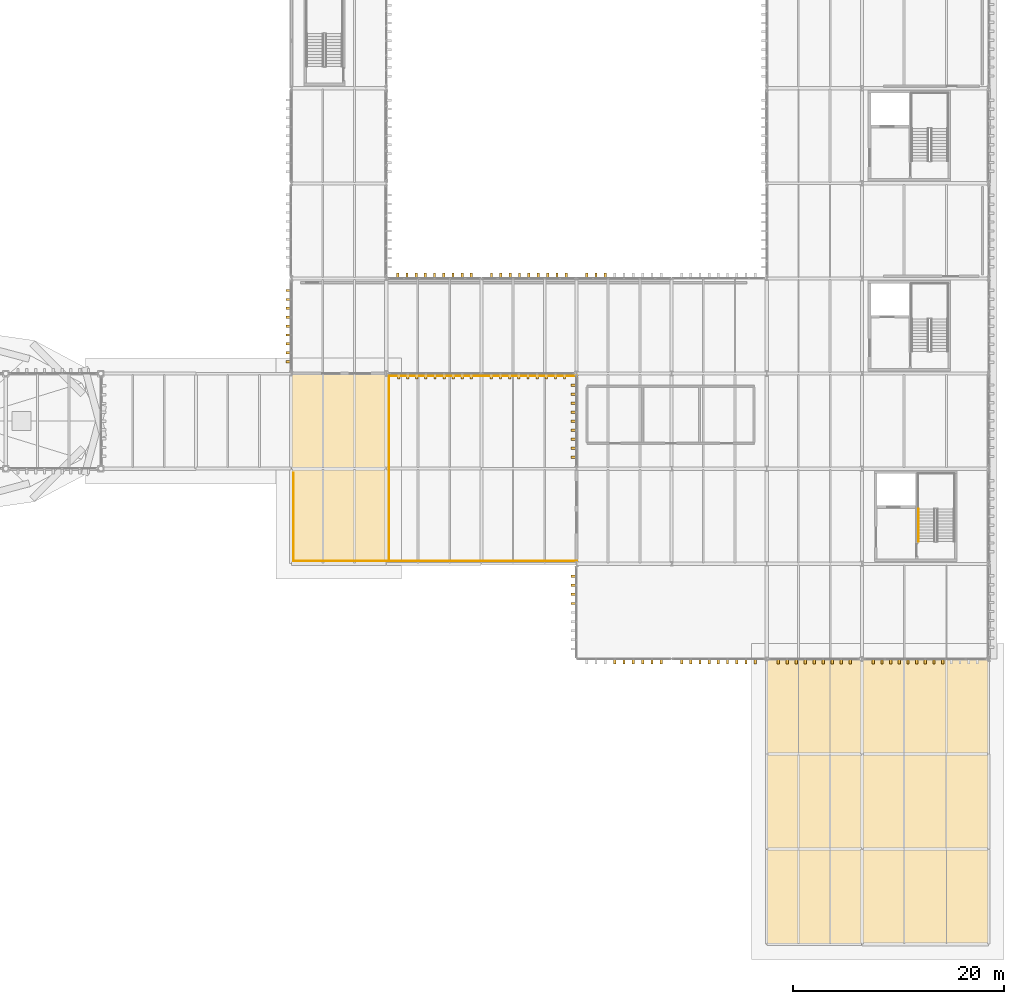
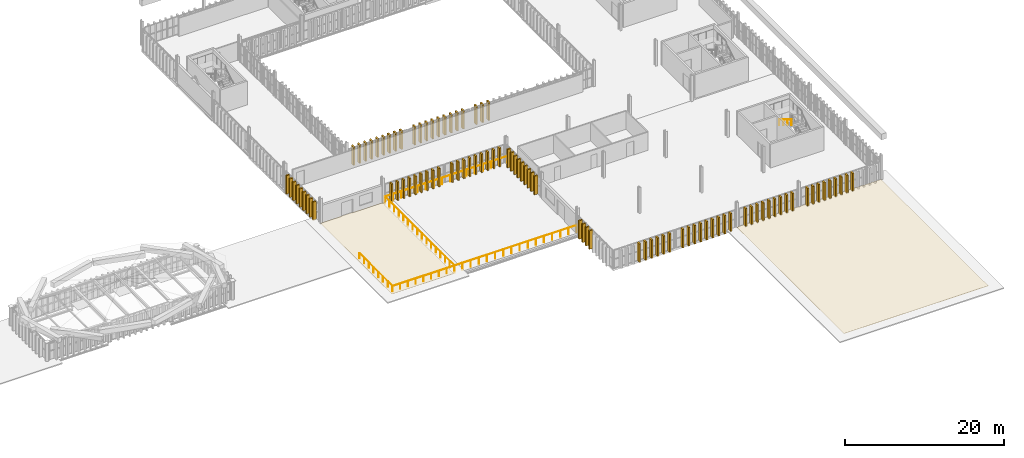
# One storey, part 95 of 102: 94 shading devices, 6 railings, 2 coverings.
"""IFC4 building model written with IfcOpenShell, lengths in metres."""

from ifc_helpers import new_model, si_unit, direction, frame, origin, origin_2d, place, context, subcontext, project, spatial, polyline, rectangle, circle, outline, extrude, material, layer, layer_set, type_object, element, save


model = new_model("IFC4")

# Units and contexts
model_context = context("Model", 3, precision=1e-05, world=origin(), true_north=direction((0.0, 1.0)))
body_context = subcontext(model_context, "Body", "Model", "MODEL_VIEW")
ifc_project = project(units=[si_unit("LENGTHUNIT", "METRE"), si_unit("AREAUNIT", "SQUARE_METRE"), si_unit("VOLUMEUNIT", "CUBIC_METRE"), si_unit("PLANEANGLEUNIT", "RADIAN"), si_unit("MASSUNIT", "GRAM", prefix="KILO")], contexts=[model_context])

# Site, building, storey
site_placement = place(None, origin())
site = spatial("IfcSite", under=ifc_project, at=site_placement, CompositionType="ELEMENT")
building_placement = place(site_placement, origin())
building = spatial("IfcBuilding", under=site, at=building_placement, Name="Barlavento Convention Centre", CompositionType="ELEMENT")
storey_placement = place(building_placement, frame((0.0, 0.0, 22.800048828125)))
storey = spatial("IfcBuildingStorey", under=building, at=storey_placement, Name="L04", CompositionType="ELEMENT", Elevation=22.800048828125)

# Coverings
ifc_material_1 = material(Name="Insulated typhoon waterproof roofing membrane")
ifc_layer = layer(ifc_material_1, 0.0400390625)
ifc_layer_set = layer_set([ifc_layer], Name="ARC-COV-ROOFING-40")
covering_type = type_object("IfcCoveringType", Name="ARC-COV-ROOFING-40", PredefinedType="ROOFING", material=ifc_layer_set)
covering_1_placement = place(storey_placement, frame((0.0, 0.0, 0.050048828125)))
element("IfcCovering", 1, at=covering_1_placement, inside=storey, type_object=covering_type, Name="L04 insulated waterproof roof covering", PredefinedType="ROOFING", context=body_context, shape_type="SweptSolid", body=[
    extrude(outline(polyline([(171.0, 0.0), (192.0, 0.0), (192.0, 27.0), (171.0, 27.0), (171.0, 0.0)])), origin(), (0.0, 0.0, 1.0), 0.039794921875),
])
covering_2_placement = place(storey_placement, frame((0.0, 0.0, 0.050048828125)))
element("IfcCovering", 2, at=covering_2_placement, inside=storey, type_object=covering_type, Name="L04 insulated waterproof roof covering", PredefinedType="ROOFING", context=body_context, shape_type="SweptSolid", body=[
    extrude(outline(polyline([(126.0, 36.0), (135.0, 36.0), (135.0, 54.0), (126.0, 54.0), (126.0, 36.0)])), origin(), (0.0, 0.0, 1.0), 0.039794921875),
])

# Railings
ifc_material_2 = material(Name="Stainless steel and laminated glass balustrade", Category="steel")
railing_type_1 = type_object("IfcRailingType", Name="ARC-RAL-BAL-1100", PredefinedType="BALUSTRADE", material=ifc_material_2)
railing_1_placement = place(storey_placement, frame((135.25, 36.25, 0.0)))
element("IfcRailing", 3, at=railing_1_placement, inside=storey, type_object=railing_type_1, Name="L04 terrace balustrade GR01", PredefinedType="BALUSTRADE", context=body_context, shape_type="SweptSolid", body=[
    extrude(circle(Radius=0.02392578125, at=origin_2d()), frame((0.0, 0.0, 1.076171875), z_axis=(1.0, 0.0, 0.0), x_axis=(0.0, 1.0, 0.0)), (0.0, 0.0, 1.0), 17.800048828125),
    extrude(circle(Radius=0.02099609375, at=origin_2d()), origin(), (0.0, 0.0, 1.0), 1.052001953125),
    extrude(circle(Radius=0.02099609375, at=origin_2d()), frame((1.186767578125, 0.0, 0.0)), (0.0, 0.0, 1.0), 1.052001953125),
    extrude(circle(Radius=0.02099609375, at=origin_2d()), frame((2.373291015625, 0.0, 0.0)), (0.0, 0.0, 1.0), 1.052001953125),
    extrude(circle(Radius=0.02099609375, at=origin_2d()), frame((3.56005859375, 0.0, 0.0)), (0.0, 0.0, 1.0), 1.052001953125),
    extrude(circle(Radius=0.02099609375, at=origin_2d()), frame((4.74658203125, 0.0, 0.0)), (0.0, 0.0, 1.0), 1.052001953125),
    extrude(circle(Radius=0.02099609375, at=origin_2d()), frame((5.933349609375, 0.0, 0.0)), (0.0, 0.0, 1.0), 1.052001953125),
    extrude(circle(Radius=0.02099609375, at=origin_2d()), frame((7.1201171875, 0.0, 0.0)), (0.0, 0.0, 1.0), 1.052001953125),
    extrude(circle(Radius=0.02099609375, at=origin_2d()), frame((8.306640625, 0.0, 0.0)), (0.0, 0.0, 1.0), 1.052001953125),
    extrude(circle(Radius=0.02099609375, at=origin_2d()), frame((9.493408203125, 0.0, 0.0)), (0.0, 0.0, 1.0), 1.052001953125),
    extrude(circle(Radius=0.02099609375, at=origin_2d()), frame((10.679931640625, 0.0, 0.0)), (0.0, 0.0, 1.0), 1.052001953125),
    extrude(circle(Radius=0.02099609375, at=origin_2d()), frame((11.86669921875, 0.0, 0.0)), (0.0, 0.0, 1.0), 1.052001953125),
    extrude(circle(Radius=0.02099609375, at=origin_2d()), frame((13.053466796875, 0.0, 0.0)), (0.0, 0.0, 1.0), 1.052001953125),
    extrude(circle(Radius=0.02099609375, at=origin_2d()), frame((14.239990234375, 0.0, 0.0)), (0.0, 0.0, 1.0), 1.052001953125),
    extrude(circle(Radius=0.02099609375, at=origin_2d()), frame((15.4267578125, 0.0, 0.0)), (0.0, 0.0, 1.0), 1.052001953125),
    extrude(circle(Radius=0.02099609375, at=origin_2d()), frame((16.61328125, 0.0, 0.0)), (0.0, 0.0, 1.0), 1.052001953125),
    extrude(circle(Radius=0.02099609375, at=origin_2d()), frame((17.800048828125, 0.0, 0.0)), (0.0, 0.0, 1.0), 1.052001953125),
])
railing_2_placement = place(storey_placement, frame((135.25, 36.25, 0.0)))
element("IfcRailing", 4, at=railing_2_placement, inside=storey, type_object=railing_type_1, Name="L04 terrace balustrade GR01", PredefinedType="BALUSTRADE", context=body_context, shape_type="SweptSolid", body=[
    extrude(circle(Radius=0.02392578125, at=origin_2d()), frame((0.0, 0.0, 1.076171875), z_axis=(0.0, 1.0, 0.0), x_axis=(-1.0, 0.0, 0.0)), (0.0, 0.0, 1.0), 17.5),
    extrude(circle(Radius=0.02099609375, at=origin_2d()), origin(), (0.0, 0.0, 1.0), 1.052001953125),
    extrude(circle(Radius=0.02099609375, at=origin_2d()), frame((0.0, 1.166748046875, 0.0)), (0.0, 0.0, 1.0), 1.052001953125),
    extrude(circle(Radius=0.02099609375, at=origin_2d()), frame((0.0, 2.333251953125, 0.0)), (0.0, 0.0, 1.0), 1.052001953125),
    extrude(circle(Radius=0.02099609375, at=origin_2d()), frame((0.0, 3.5, 0.0)), (0.0, 0.0, 1.0), 1.052001953125),
    extrude(circle(Radius=0.02099609375, at=origin_2d()), frame((0.0, 4.666748046875, 0.0)), (0.0, 0.0, 1.0), 1.052001953125),
    extrude(circle(Radius=0.02099609375, at=origin_2d()), frame((0.0, 5.833251953125, 0.0)), (0.0, 0.0, 1.0), 1.052001953125),
    extrude(circle(Radius=0.02099609375, at=origin_2d()), frame((0.0, 7.0, 0.0)), (0.0, 0.0, 1.0), 1.052001953125),
    extrude(circle(Radius=0.02099609375, at=origin_2d()), frame((0.0, 8.166748046875, 0.0)), (0.0, 0.0, 1.0), 1.052001953125),
    extrude(circle(Radius=0.02099609375, at=origin_2d()), frame((0.0, 9.333251953125, 0.0)), (0.0, 0.0, 1.0), 1.052001953125),
    extrude(circle(Radius=0.02099609375, at=origin_2d()), frame((0.0, 10.5, 0.0)), (0.0, 0.0, 1.0), 1.052001953125),
    extrude(circle(Radius=0.02099609375, at=origin_2d()), frame((0.0, 11.666748046875, 0.0)), (0.0, 0.0, 1.0), 1.052001953125),
    extrude(circle(Radius=0.02099609375, at=origin_2d()), frame((0.0, 12.833251953125, 0.0)), (0.0, 0.0, 1.0), 1.052001953125),
    extrude(circle(Radius=0.02099609375, at=origin_2d()), frame((0.0, 14.0, 0.0)), (0.0, 0.0, 1.0), 1.052001953125),
    extrude(circle(Radius=0.02099609375, at=origin_2d()), frame((0.0, 15.166748046875, 0.0)), (0.0, 0.0, 1.0), 1.052001953125),
    extrude(circle(Radius=0.02099609375, at=origin_2d()), frame((0.0, 16.333251953125, 0.0)), (0.0, 0.0, 1.0), 1.052001953125),
    extrude(circle(Radius=0.02099609375, at=origin_2d()), frame((0.0, 17.5, 0.0)), (0.0, 0.0, 1.0), 1.052001953125),
])
railing_3_placement = place(storey_placement, frame((135.25, 53.75, 0.0)))
element("IfcRailing", 5, at=railing_3_placement, inside=storey, type_object=railing_type_1, Name="L04 terrace balustrade GR01", PredefinedType="BALUSTRADE", context=body_context, shape_type="SweptSolid", body=[
    extrude(circle(Radius=0.02392578125, at=origin_2d()), frame((0.0, 0.0, 1.076171875), z_axis=(1.0, 0.0, 0.0), x_axis=(0.0, 1.0, 0.0)), (0.0, 0.0, 1.0), 17.800048828125),
    extrude(circle(Radius=0.02099609375, at=origin_2d()), origin(), (0.0, 0.0, 1.0), 1.052001953125),
    extrude(circle(Radius=0.02099609375, at=origin_2d()), frame((1.186767578125, 0.0, 0.0)), (0.0, 0.0, 1.0), 1.052001953125),
    extrude(circle(Radius=0.02099609375, at=origin_2d()), frame((2.373291015625, 0.0, 0.0)), (0.0, 0.0, 1.0), 1.052001953125),
    extrude(circle(Radius=0.02099609375, at=origin_2d()), frame((3.56005859375, 0.0, 0.0)), (0.0, 0.0, 1.0), 1.052001953125),
    extrude(circle(Radius=0.02099609375, at=origin_2d()), frame((4.74658203125, 0.0, 0.0)), (0.0, 0.0, 1.0), 1.052001953125),
    extrude(circle(Radius=0.02099609375, at=origin_2d()), frame((5.933349609375, 0.0, 0.0)), (0.0, 0.0, 1.0), 1.052001953125),
    extrude(circle(Radius=0.02099609375, at=origin_2d()), frame((7.1201171875, 0.0, 0.0)), (0.0, 0.0, 1.0), 1.052001953125),
    extrude(circle(Radius=0.02099609375, at=origin_2d()), frame((8.306640625, 0.0, 0.0)), (0.0, 0.0, 1.0), 1.052001953125),
    extrude(circle(Radius=0.02099609375, at=origin_2d()), frame((9.493408203125, 0.0, 0.0)), (0.0, 0.0, 1.0), 1.052001953125),
    extrude(circle(Radius=0.02099609375, at=origin_2d()), frame((10.679931640625, 0.0, 0.0)), (0.0, 0.0, 1.0), 1.052001953125),
    extrude(circle(Radius=0.02099609375, at=origin_2d()), frame((11.86669921875, 0.0, 0.0)), (0.0, 0.0, 1.0), 1.052001953125),
    extrude(circle(Radius=0.02099609375, at=origin_2d()), frame((13.053466796875, 0.0, 0.0)), (0.0, 0.0, 1.0), 1.052001953125),
    extrude(circle(Radius=0.02099609375, at=origin_2d()), frame((14.239990234375, 0.0, 0.0)), (0.0, 0.0, 1.0), 1.052001953125),
    extrude(circle(Radius=0.02099609375, at=origin_2d()), frame((15.4267578125, 0.0, 0.0)), (0.0, 0.0, 1.0), 1.052001953125),
    extrude(circle(Radius=0.02099609375, at=origin_2d()), frame((16.61328125, 0.0, 0.0)), (0.0, 0.0, 1.0), 1.052001953125),
    extrude(circle(Radius=0.02099609375, at=origin_2d()), frame((17.800048828125, 0.0, 0.0)), (0.0, 0.0, 1.0), 1.052001953125),
])
railing_4_placement = place(storey_placement, frame((126.25, 36.25, 0.0)))
element("IfcRailing", 6, at=railing_4_placement, inside=storey, type_object=railing_type_1, Name="L04 west roof terrace balustrade GR01", PredefinedType="BALUSTRADE", context=body_context, shape_type="SweptSolid", body=[
    extrude(circle(Radius=0.02392578125, at=origin_2d()), frame((0.0, 0.0, 1.076171875), z_axis=(1.0, 0.0, 0.0), x_axis=(0.0, 1.0, 0.0)), (0.0, 0.0, 1.0), 9.0),
    extrude(circle(Radius=0.02099609375, at=origin_2d()), origin(), (0.0, 0.0, 1.0), 1.052001953125),
    extrude(circle(Radius=0.02099609375, at=origin_2d()), frame((1.125, 0.0, 0.0)), (0.0, 0.0, 1.0), 1.052001953125),
    extrude(circle(Radius=0.02099609375, at=origin_2d()), frame((2.25, 0.0, 0.0)), (0.0, 0.0, 1.0), 1.052001953125),
    extrude(circle(Radius=0.02099609375, at=origin_2d()), frame((3.375, 0.0, 0.0)), (0.0, 0.0, 1.0), 1.052001953125),
    extrude(circle(Radius=0.02099609375, at=origin_2d()), frame((4.5, 0.0, 0.0)), (0.0, 0.0, 1.0), 1.052001953125),
    extrude(circle(Radius=0.02099609375, at=origin_2d()), frame((5.625, 0.0, 0.0)), (0.0, 0.0, 1.0), 1.052001953125),
    extrude(circle(Radius=0.02099609375, at=origin_2d()), frame((6.75, 0.0, 0.0)), (0.0, 0.0, 1.0), 1.052001953125),
    extrude(circle(Radius=0.02099609375, at=origin_2d()), frame((7.875, 0.0, 0.0)), (0.0, 0.0, 1.0), 1.052001953125),
    extrude(circle(Radius=0.02099609375, at=origin_2d()), frame((9.0, 0.0, 0.0)), (0.0, 0.0, 1.0), 1.052001953125),
])
railing_5_placement = place(storey_placement, frame((126.25, 36.25, 0.0)))
element("IfcRailing", 7, at=railing_5_placement, inside=storey, type_object=railing_type_1, Name="L04 west roof terrace balustrade GR01", PredefinedType="BALUSTRADE", context=body_context, shape_type="SweptSolid", body=[
    extrude(circle(Radius=0.02392578125, at=origin_2d()), frame((0.0, 0.0, 1.076171875), z_axis=(0.0, 1.0, 0.0), x_axis=(-1.0, 0.0, 0.0)), (0.0, 0.0, 1.0), 8.35009765625),
    extrude(circle(Radius=0.02099609375, at=origin_2d()), origin(), (0.0, 0.0, 1.0), 1.052001953125),
    extrude(circle(Radius=0.02099609375, at=origin_2d()), frame((0.0, 1.19287109375, 0.0)), (0.0, 0.0, 1.0), 1.052001953125),
    extrude(circle(Radius=0.02099609375, at=origin_2d()), frame((0.0, 2.3857421875, 0.0)), (0.0, 0.0, 1.0), 1.052001953125),
    extrude(circle(Radius=0.02099609375, at=origin_2d()), frame((0.0, 3.57861328125, 0.0)), (0.0, 0.0, 1.0), 1.052001953125),
    extrude(circle(Radius=0.02099609375, at=origin_2d()), frame((0.0, 4.771484375, 0.0)), (0.0, 0.0, 1.0), 1.052001953125),
    extrude(circle(Radius=0.02099609375, at=origin_2d()), frame((0.0, 5.96435546875, 0.0)), (0.0, 0.0, 1.0), 1.052001953125),
    extrude(circle(Radius=0.02099609375, at=origin_2d()), frame((0.0, 7.1572265625, 0.0)), (0.0, 0.0, 1.0), 1.052001953125),
    extrude(circle(Radius=0.02099609375, at=origin_2d()), frame((0.0, 8.35009765625, 0.0)), (0.0, 0.0, 1.0), 1.052001953125),
])
ifc_material_3 = material(Name="Brushed stainless steel tubular handrail", Category="steel")
railing_type_2 = type_object("IfcRailingType", Name="ARC-RAL-HR-900", PredefinedType="HANDRAIL", material=ifc_material_3)
railing_6_placement = place(storey_placement, frame((185.360107421875, 41.169921875, 2.16650390625)))
element("IfcRailing", 8, at=railing_6_placement, inside=storey, type_object=railing_type_2, Name="L04 ST06 stair handrail 2", PredefinedType="HANDRAIL", context=body_context, shape_type="SweptSolid", body=[
    extrude(circle(Radius=0.02392578125, at=origin_2d()), frame((0.0, 0.0, 0.8759765625), z_axis=(0.0, -0.859260807169, 0.511537745687), x_axis=(1.0, 0.0, 0.0)), (0.0, 0.0, 1.0), 3.584228515625),
    extrude(circle(Radius=0.02099609375, at=origin_2d()), origin(), (0.0, 0.0, 1.0), 0.851806640625),
    extrude(circle(Radius=0.02099609375, at=origin_2d()), frame((0.0, -1.026611328125, 0.611083984375)), (0.0, 0.0, 1.0), 0.851806640625),
    extrude(circle(Radius=0.02099609375, at=origin_2d()), frame((0.0, -2.05322265625, 1.222412109375)), (0.0, 0.0, 1.0), 0.851806640625),
    extrude(circle(Radius=0.02099609375, at=origin_2d()), frame((0.0, -3.079833984375, 1.83349609375)), (0.0, 0.0, 1.0), 0.851806640625),
])

# Shading devices
ifc_material_4 = material(Name="PVDF white extruded aluminium", Category="aluminium")
shading_device_type = type_object("IfcShadingDeviceType", Name="ARC-SHD-FIN-480", PredefinedType="USERDEFINED", material=ifc_material_4)
for number, where, z_axis, x_axis, name in (
    (9, (136.09912109375, 63.239990234375, 0.0), (0.0, 0.0, 1.0), (1.0, 0.0, 0.0), "White vertical solar shading fin VF01"),
    (10, (136.968017578125, 63.239990234375, 0.0), (0.0, 0.0, 1.0), (1.0, 0.0, 0.0), "White vertical solar shading fin VF01"),
    (11, (137.8369140625, 63.239990234375, 0.0), (0.0, 0.0, 1.0), (1.0, 0.0, 0.0), "White vertical solar shading fin VF01"),
    (12, (138.7060546875, 63.239990234375, 0.0), (0.0, 0.0, 1.0), (1.0, 0.0, 0.0), "White vertical solar shading fin VF01"),
    (13, (139.574951171875, 63.239990234375, 0.0), (0.0, 0.0, 1.0), (1.0, 0.0, 0.0), "White vertical solar shading fin VF01"),
    (14, (140.444091796875, 63.239990234375, 0.0), (0.0, 0.0, 1.0), (1.0, 0.0, 0.0), "White vertical solar shading fin VF01"),
    (15, (141.31298828125, 63.239990234375, 0.0), (0.0, 0.0, 1.0), (1.0, 0.0, 0.0), "White vertical solar shading fin VF01"),
    (16, (142.181884765625, 63.239990234375, 0.0), (0.0, 0.0, 1.0), (1.0, 0.0, 0.0), "White vertical solar shading fin VF01"),
    (17, (143.051025390625, 63.239990234375, 0.0), (0.0, 0.0, 1.0), (1.0, 0.0, 0.0), "White vertical solar shading fin VF01"),
    (18, (144.964111328125, 63.239990234375, 0.0), (0.0, 0.0, 1.0), (1.0, 0.0, 0.0), "White vertical solar shading fin VF01"),
    (19, (145.847900390625, 63.239990234375, 0.0), (0.0, 0.0, 1.0), (1.0, 0.0, 0.0), "White vertical solar shading fin VF01"),
    (20, (146.73193359375, 63.239990234375, 0.0), (0.0, 0.0, 1.0), (1.0, 0.0, 0.0), "White vertical solar shading fin VF01"),
    (21, (147.615966796875, 63.239990234375, 0.0), (0.0, 0.0, 1.0), (1.0, 0.0, 0.0), "White vertical solar shading fin VF01"),
    (22, (148.5, 63.239990234375, 0.0), (0.0, 0.0, 1.0), (1.0, 0.0, 0.0), "White vertical solar shading fin VF01"),
    (23, (149.384033203125, 63.239990234375, 0.0), (0.0, 0.0, 1.0), (1.0, 0.0, 0.0), "White vertical solar shading fin VF01"),
    (24, (150.26806640625, 63.239990234375, 0.0), (0.0, 0.0, 1.0), (1.0, 0.0, 0.0), "White vertical solar shading fin VF01"),
    (25, (151.152099609375, 63.239990234375, 0.0), (0.0, 0.0, 1.0), (1.0, 0.0, 0.0), "White vertical solar shading fin VF01"),
    (26, (152.035888671875, 63.239990234375, 0.0), (0.0, 0.0, 1.0), (1.0, 0.0, 0.0), "White vertical solar shading fin VF01"),
    (27, (153.964111328125, 63.239990234375, 0.0), (0.0, 0.0, 1.0), (1.0, 0.0, 0.0), "White vertical solar shading fin VF01"),
    (28, (154.847900390625, 63.239990234375, 0.0), (0.0, 0.0, 1.0), (1.0, 0.0, 0.0), "White vertical solar shading fin VF01"),
    (29, (155.73193359375, 63.239990234375, 0.0), (0.0, 0.0, 1.0), (1.0, 0.0, 0.0), "White vertical solar shading fin VF01"),
    (30, (156.615966796875, 26.760009765625, 0.0), (0.0, 0.0, 1.0), (1.0, 0.0, 0.0), "White vertical solar shading fin VF01"),
    (31, (157.5, 26.760009765625, 0.0), (0.0, 0.0, 1.0), (1.0, 0.0, 0.0), "White vertical solar shading fin VF01"),
    (32, (158.384033203125, 26.760009765625, 0.0), (0.0, 0.0, 1.0), (1.0, 0.0, 0.0), "White vertical solar shading fin VF01"),
    (33, (159.26806640625, 26.760009765625, 0.0), (0.0, 0.0, 1.0), (1.0, 0.0, 0.0), "White vertical solar shading fin VF01"),
    (34, (160.152099609375, 26.760009765625, 0.0), (0.0, 0.0, 1.0), (1.0, 0.0, 0.0), "White vertical solar shading fin VF01"),
    (35, (161.035888671875, 26.760009765625, 0.0), (0.0, 0.0, 1.0), (1.0, 0.0, 0.0), "White vertical solar shading fin VF01"),
    (36, (162.948974609375, 26.760009765625, 0.0), (0.0, 0.0, 1.0), (1.0, 0.0, 0.0), "White vertical solar shading fin VF01"),
    (37, (163.818115234375, 26.760009765625, 0.0), (0.0, 0.0, 1.0), (1.0, 0.0, 0.0), "White vertical solar shading fin VF01"),
    (38, (164.68701171875, 26.760009765625, 0.0), (0.0, 0.0, 1.0), (1.0, 0.0, 0.0), "White vertical solar shading fin VF01"),
    (39, (165.555908203125, 26.760009765625, 0.0), (0.0, 0.0, 1.0), (1.0, 0.0, 0.0), "White vertical solar shading fin VF01"),
    (40, (166.425048828125, 26.760009765625, 0.0), (0.0, 0.0, 1.0), (1.0, 0.0, 0.0), "White vertical solar shading fin VF01"),
    (41, (167.2939453125, 26.760009765625, 0.0), (0.0, 0.0, 1.0), (1.0, 0.0, 0.0), "White vertical solar shading fin VF01"),
    (42, (168.1630859375, 26.760009765625, 0.0), (0.0, 0.0, 1.0), (1.0, 0.0, 0.0), "White vertical solar shading fin VF01"),
    (43, (169.031982421875, 26.760009765625, 0.0), (0.0, 0.0, 1.0), (1.0, 0.0, 0.0), "White vertical solar shading fin VF01"),
    (44, (169.90087890625, 26.760009765625, 0.0), (0.0, 0.0, 1.0), (1.0, 0.0, 0.0), "White vertical solar shading fin VF01"),
    (45, (172.0810546875, 26.760009765625, 0.0), (0.0, 0.0, 1.0), (1.0, 0.0, 0.0), "White vertical solar shading fin VF01"),
    (46, (172.931884765625, 26.760009765625, 0.0), (0.0, 0.0, 1.0), (1.0, 0.0, 0.0), "White vertical solar shading fin VF01"),
    (47, (173.782958984375, 26.760009765625, 0.0), (0.0, 0.0, 1.0), (1.0, 0.0, 0.0), "White vertical solar shading fin VF01"),
    (48, (174.634033203125, 26.760009765625, 0.0), (0.0, 0.0, 1.0), (1.0, 0.0, 0.0), "White vertical solar shading fin VF01"),
    (49, (175.485107421875, 26.760009765625, 0.0), (0.0, 0.0, 1.0), (1.0, 0.0, 0.0), "White vertical solar shading fin VF01"),
    (50, (176.3359375, 26.760009765625, 0.0), (0.0, 0.0, 1.0), (1.0, 0.0, 0.0), "White vertical solar shading fin VF01"),
    (51, (177.18701171875, 26.760009765625, 0.0), (0.0, 0.0, 1.0), (1.0, 0.0, 0.0), "White vertical solar shading fin VF01"),
    (52, (178.0380859375, 26.760009765625, 0.0), (0.0, 0.0, 1.0), (1.0, 0.0, 0.0), "White vertical solar shading fin VF01"),
    (53, (178.888916015625, 26.760009765625, 0.0), (0.0, 0.0, 1.0), (1.0, 0.0, 0.0), "White vertical solar shading fin VF01"),
    (54, (181.080078125, 26.760009765625, 0.0), (0.0, 0.0, 1.0), (1.0, 0.0, 0.0), "White vertical solar shading fin VF01"),
    (55, (181.89990234375, 26.760009765625, 0.0), (0.0, 0.0, 1.0), (1.0, 0.0, 0.0), "White vertical solar shading fin VF01"),
    (56, (182.719970703125, 26.760009765625, 0.0), (0.0, 0.0, 1.0), (1.0, 0.0, 0.0), "White vertical solar shading fin VF01"),
    (57, (183.5400390625, 26.760009765625, 0.0), (0.0, 0.0, 1.0), (1.0, 0.0, 0.0), "White vertical solar shading fin VF01"),
    (58, (184.360107421875, 26.760009765625, 0.0), (0.0, 0.0, 1.0), (1.0, 0.0, 0.0), "White vertical solar shading fin VF01"),
    (59, (185.179931640625, 26.760009765625, 0.0), (0.0, 0.0, 1.0), (1.0, 0.0, 0.0), "White vertical solar shading fin VF01"),
    (60, (186.0, 26.760009765625, 0.0), (0.0, 0.0, 1.0), (1.0, 0.0, 0.0), "White vertical solar shading fin VF01"),
    (61, (186.820068359375, 26.760009765625, 0.0), (0.0, 0.0, 1.0), (1.0, 0.0, 0.0), "White vertical solar shading fin VF01"),
    (62, (187.639892578125, 26.760009765625, 0.0), (0.0, 0.0, 1.0), (1.0, 0.0, 0.0), "White vertical solar shading fin VF01"),
    (63, (152.760009765625, 32.24609375, 0.0), (0.0, 0.0, 1.0), (0.0, 1.0, 0.0), "White vertical solar shading fin VF01"),
    (64, (152.760009765625, 33.10693359375, 0.0), (0.0, 0.0, 1.0), (0.0, 1.0, 0.0), "White vertical solar shading fin VF01"),
    (65, (152.760009765625, 33.968017578125, 0.0), (0.0, 0.0, 1.0), (0.0, 1.0, 0.0), "White vertical solar shading fin VF01"),
    (66, (152.760009765625, 34.8291015625, 0.0), (0.0, 0.0, 1.0), (0.0, 1.0, 0.0), "White vertical solar shading fin VF01"),
    (67, (152.760009765625, 46.0810546875, 0.0), (0.0, 0.0, 1.0), (0.0, 1.0, 0.0), "White vertical solar shading fin VF01"),
    (68, (152.760009765625, 46.931884765625, 0.0), (0.0, 0.0, 1.0), (0.0, 1.0, 0.0), "White vertical solar shading fin VF01"),
    (69, (152.760009765625, 47.782958984375, 0.0), (0.0, 0.0, 1.0), (0.0, 1.0, 0.0), "White vertical solar shading fin VF01"),
    (70, (152.760009765625, 48.634033203125, 0.0), (0.0, 0.0, 1.0), (0.0, 1.0, 0.0), "White vertical solar shading fin VF01"),
    (71, (152.760009765625, 49.485107421875, 0.0), (0.0, 0.0, 1.0), (0.0, 1.0, 0.0), "White vertical solar shading fin VF01"),
    (72, (152.760009765625, 50.3359375, 0.0), (0.0, 0.0, 1.0), (0.0, 1.0, 0.0), "White vertical solar shading fin VF01"),
    (73, (152.760009765625, 51.18701171875, 0.0), (0.0, 0.0, 1.0), (0.0, 1.0, 0.0), "White vertical solar shading fin VF01"),
    (74, (152.760009765625, 52.0380859375, 0.0), (0.0, 0.0, 1.0), (0.0, 1.0, 0.0), "White vertical solar shading fin VF01"),
    (75, (152.760009765625, 52.888916015625, 0.0), (0.0, 0.0, 1.0), (0.0, 1.0, 0.0), "White vertical solar shading fin VF01"),
    (76, (136.1708984375, 53.760009765625, 0.0), (0.0, 0.0, 1.0), (1.0, 0.0, 0.0), "White vertical solar shading fin VF01"),
    (77, (137.031982421875, 53.760009765625, 0.0), (0.0, 0.0, 1.0), (1.0, 0.0, 0.0), "White vertical solar shading fin VF01"),
    (78, (137.89306640625, 53.760009765625, 0.0), (0.0, 0.0, 1.0), (1.0, 0.0, 0.0), "White vertical solar shading fin VF01"),
    (79, (138.75390625, 53.760009765625, 0.0), (0.0, 0.0, 1.0), (1.0, 0.0, 0.0), "White vertical solar shading fin VF01"),
    (80, (139.614990234375, 53.760009765625, 0.0), (0.0, 0.0, 1.0), (1.0, 0.0, 0.0), "White vertical solar shading fin VF01"),
    (81, (140.47607421875, 53.760009765625, 0.0), (0.0, 0.0, 1.0), (1.0, 0.0, 0.0), "White vertical solar shading fin VF01"),
    (82, (141.3369140625, 53.760009765625, 0.0), (0.0, 0.0, 1.0), (1.0, 0.0, 0.0), "White vertical solar shading fin VF01"),
    (83, (142.197998046875, 53.760009765625, 0.0), (0.0, 0.0, 1.0), (1.0, 0.0, 0.0), "White vertical solar shading fin VF01"),
    (84, (143.05908203125, 53.760009765625, 0.0), (0.0, 0.0, 1.0), (1.0, 0.0, 0.0), "White vertical solar shading fin VF01"),
    (85, (144.946044921875, 53.760009765625, 0.0), (0.0, 0.0, 1.0), (1.0, 0.0, 0.0), "White vertical solar shading fin VF01"),
    (86, (145.81201171875, 53.760009765625, 0.0), (0.0, 0.0, 1.0), (1.0, 0.0, 0.0), "White vertical solar shading fin VF01"),
    (87, (146.677978515625, 53.760009765625, 0.0), (0.0, 0.0, 1.0), (1.0, 0.0, 0.0), "White vertical solar shading fin VF01"),
    (88, (147.5439453125, 53.760009765625, 0.0), (0.0, 0.0, 1.0), (1.0, 0.0, 0.0), "White vertical solar shading fin VF01"),
    (89, (148.409912109375, 53.760009765625, 0.0), (0.0, 0.0, 1.0), (1.0, 0.0, 0.0), "White vertical solar shading fin VF01"),
    (90, (149.27587890625, 53.760009765625, 0.0), (0.0, 0.0, 1.0), (1.0, 0.0, 0.0), "White vertical solar shading fin VF01"),
    (91, (150.14208984375, 53.760009765625, 0.0), (0.0, 0.0, 1.0), (1.0, 0.0, 0.0), "White vertical solar shading fin VF01"),
    (92, (151.008056640625, 53.760009765625, 0.0), (0.0, 0.0, 1.0), (1.0, 0.0, 0.0), "White vertical solar shading fin VF01"),
    (93, (151.8740234375, 53.760009765625, 0.0), (0.0, 0.0, 1.0), (1.0, 0.0, 0.0), "White vertical solar shading fin VF01"),
    (94, (125.760009765625, 55.12548828125, 0.0), (0.0, 0.0, 1.0), (0.0, 1.0, 0.0), "White vertical solar shading fin VF01"),
    (95, (125.760009765625, 55.966064453125, 0.0), (0.0, 0.0, 1.0), (0.0, 1.0, 0.0), "White vertical solar shading fin VF01"),
    (96, (125.760009765625, 56.806396484375, 0.0), (0.0, 0.0, 1.0), (0.0, 1.0, 0.0), "White vertical solar shading fin VF01"),
    (97, (125.760009765625, 57.64697265625, 0.0), (0.0, 0.0, 1.0), (0.0, 1.0, 0.0), "White vertical solar shading fin VF01"),
    (98, (125.760009765625, 58.487548828125, 0.0), (0.0, 0.0, 1.0), (0.0, 1.0, 0.0), "White vertical solar shading fin VF01"),
    (99, (125.760009765625, 59.327880859375, 0.0), (0.0, 0.0, 1.0), (0.0, 1.0, 0.0), "White vertical solar shading fin VF01"),
    (100, (125.760009765625, 60.16845703125, 0.0), (0.0, 0.0, 1.0), (0.0, 1.0, 0.0), "White vertical solar shading fin VF01"),
    (101, (125.760009765625, 61.009033203125, 0.0), (0.0, 0.0, 1.0), (0.0, 1.0, 0.0), "White vertical solar shading fin VF01"),
    (102, (125.760009765625, 61.849609375, 0.0), (0.0, 0.0, 1.0), (0.0, 1.0, 0.0), "White vertical solar shading fin VF01"),
):
    element("IfcShadingDevice", number, at=place(storey_placement, frame(where, z_axis=z_axis, x_axis=x_axis)), inside=storey, type_object=shading_device_type, Name=name, ObjectType="FIN", PredefinedType="USERDEFINED", context=body_context, shape_type="SweptSolid", body=[
        extrude(rectangle(XDim=0.219970703125, YDim=0.52001953125, at=origin_2d()), origin(), (0.0, 0.0, 1.0), 2.85009765625),
    ])

save(model, "model.ifc")
